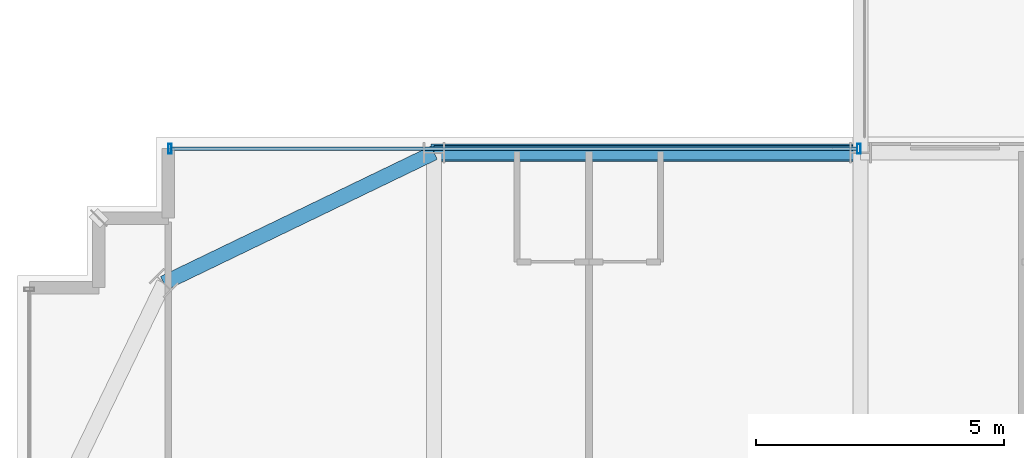
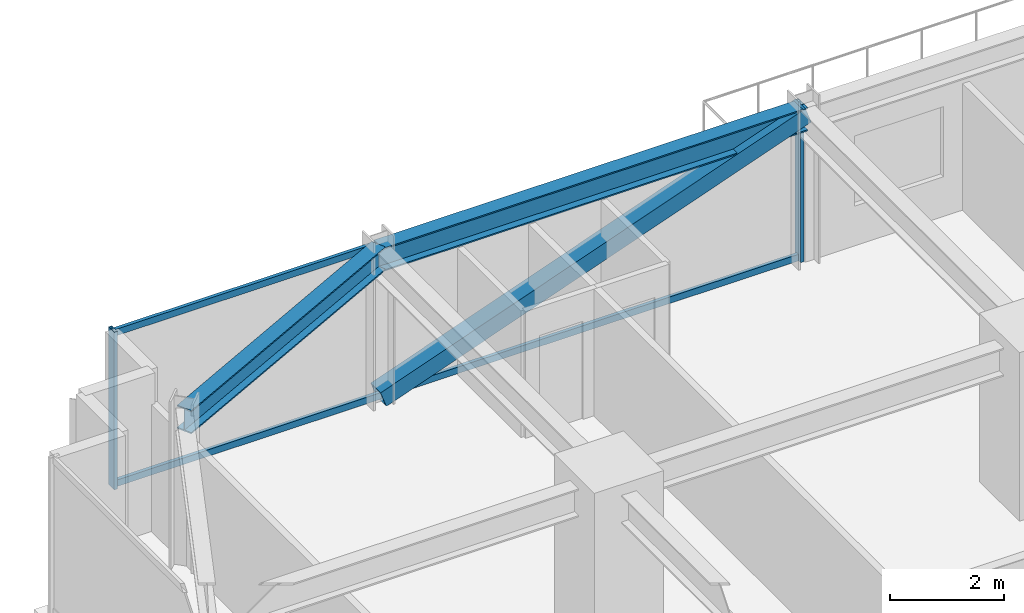
# One storey, part 24 of 43: 5 members, 2 beams, 1 element without a shape of its own.
"""IFC4 building model written with IfcOpenShell, lengths in metres."""

from ifc_helpers import new_model, si_unit, direction, frame, origin, origin_2d, place, context, subcontext, project, spatial, hollow_rectangle, i_section, extrude, source, transform, mapped, material, material_profile, profile_set, type_object, element, aggregate, save


model = new_model("IFC4")

# Units and contexts
model_context = context("Model", 3, precision=1e-05, world=origin(), true_north=direction((0.0, 1.0)))
body_context = subcontext(model_context, "Body", "Model", "MODEL_VIEW")
ifc_project = project(units=[si_unit("LENGTHUNIT", "METRE"), si_unit("AREAUNIT", "SQUARE_METRE"), si_unit("VOLUMEUNIT", "CUBIC_METRE"), si_unit("PLANEANGLEUNIT", "RADIAN"), si_unit("MASSUNIT", "GRAM", prefix="KILO")], contexts=[model_context])

# Site, building, storey
site_placement = place(None, origin())
site = spatial("IfcSite", under=ifc_project, at=site_placement, CompositionType="ELEMENT")
building_placement = place(site_placement, origin())
building = spatial("IfcBuilding", under=site, at=building_placement, Name="Nahalor Promenade Grand Hotel", CompositionType="ELEMENT")
storey_placement = place(building_placement, frame((0.0, 0.0, 47.0)))
storey = spatial("IfcBuildingStorey", under=building, at=storey_placement, Name="L10", CompositionType="ELEMENT", Elevation=47.0)

# Beams
ifc_material_1 = material(Name="Steel S355JR", Category="steel")
ifc_material_profile_1 = material_profile(ifc_material_1, i_section(OverallWidth=0.3, OverallDepth=0.5, WebThickness=0.0145, FlangeThickness=0.028, at=origin_2d()), Name="HEB 500")
ifc_profile_set_1 = profile_set([ifc_material_profile_1], Name="Steel S355JR")
beam_type = type_object("IfcBeamType", Name="Beam-Spandrel-HEB500", PredefinedType="SPANDREL", material=ifc_profile_set_1)
shared_shape_1 = source(origin(), body_context, "Body", "SweptSolid", [
    extrude(i_section(OverallWidth=0.3, OverallDepth=0.5, WebThickness=0.0145, FlangeThickness=0.028, at=origin_2d()), origin(), (0.0, 0.0, 1.0), 8.60009765625),
])
beam_1_placement = place(storey_placement, frame((-17.0, 25.080078125, 3.1201171875), z_axis=(1.0, 0.0, 0.0), x_axis=(0.0, 1.0, 0.0)))
element("IfcBeam", 1, at=beam_1_placement, inside=storey, type_object=beam_type, Name="BM-L10-SP-N-0", PredefinedType="SPANDREL", context=body_context, shape_type="MappedRepresentation", body=[
    mapped(shared_shape_1, transform((0.0, 0.0, 0.0), scale=1.0)),
])
shared_shape_2 = source(origin(), body_context, "Body", "SweptSolid", [
    extrude(i_section(OverallWidth=0.3, OverallDepth=0.5, WebThickness=0.0145, FlangeThickness=0.028, at=origin_2d()), origin(), (0.0, 0.0, 1.0), 6.051513671875),
])
beam_2_placement = place(storey_placement, frame((-17.0, 25.080078125, 3.1201171875), z_axis=(-0.900608818852, -0.434630596492, 0.0), x_axis=(0.434630596492, -0.900608818852, 0.0)))
element("IfcBeam", 2, at=beam_2_placement, inside=storey, type_object=beam_type, Name="BM-L10-SPC-NW-1", PredefinedType="SPANDREL", context=body_context, shape_type="MappedRepresentation", body=[
    mapped(shared_shape_2, transform((0.0, 0.0, 0.0), scale=1.0)),
])

# Member
ifc_material_profile_2 = material_profile(ifc_material_1, hollow_rectangle(XDim=0.35, YDim=0.35, WallThickness=0.02, at=origin_2d()), Name="SHS 350x350x20")
ifc_profile_set_2 = profile_set([ifc_material_profile_2], Name="Steel S355JR")
member_type_1 = type_object("IfcMemberType", Name="Mem-VoidBrace-SHS350", PredefinedType="BRACE", material=ifc_profile_set_2)
shared_shape_3 = source(origin(), body_context, "Body", "SweptSolid", [
    extrude(hollow_rectangle(XDim=0.35, YDim=0.35, WallThickness=0.02, at=origin_2d()), origin(), (0.0, 0.0, 1.0), 9.131591796875),
])
member_1_placement = place(storey_placement, frame((-17.0, 25.080078125, 0.14990234375), z_axis=(0.941790292179, 0.0, 0.336200900589), x_axis=(0.0, 1.0, 0.0)))
element("IfcMember", 3, at=member_1_placement, inside=storey, type_object=member_type_1, Name="EXO-L10-N-0", PredefinedType="BRACE", context=body_context, shape_type="MappedRepresentation", body=[
    mapped(shared_shape_3, transform((0.0, 0.0, 0.0), scale=1.0)),
])

# Curtain wall, members
ifc_material_2 = material(Name="Anodised Bronze Aluminium EN AW-6063 T6", Category="aluminium")
curtain_wall_type = type_object("IfcCurtainWallType", Name="CW3 Elliptical-Void Collar Unitised Curtain Wall", PredefinedType="USERDEFINED", material=ifc_material_2)
curtain_wall_placement = place(storey_placement, origin())
curtain_wall = element("IfcCurtainWall", 4, at=curtain_wall_placement, inside=storey, type_object=curtain_wall_type, Name="L10 Curtain Wall CW-L10-N-1", ObjectType="UNITISED_CURTAIN_WALL", PredefinedType="USERDEFINED")
ifc_material_profile_3 = material_profile(ifc_material_2, hollow_rectangle(XDim=0.07, YDim=0.2, WallThickness=0.005, at=origin_2d()), Name="CWM 70x200x5")
ifc_profile_set_3 = profile_set([ifc_material_profile_3], Name="Anodised Bronze Aluminium EN AW-6063 T6")
member_type_2 = type_object("IfcMemberType", Name="CWM3 Void Collar Mullion 70x200", PredefinedType="MULLION", material=ifc_profile_set_3)
shared_shape_4 = source(origin(), body_context, "Body", "SweptSolid", [
    extrude(hollow_rectangle(XDim=0.07, YDim=0.2, WallThickness=0.005, at=origin_2d()), origin(), (0.0, 0.0, 1.0), 3.3701171875),
])
member_2_placement = place(storey_placement, frame((-22.324951171875, 25.159912109375, 0.0), z_axis=(0.0, 0.0, 1.0), x_axis=(1.0, 0.0, 0.0)))
member_2 = element("IfcMember", 5, at=member_2_placement, type_object=member_type_2, Name="CW-L10-N-1 Mullion 0", PredefinedType="MULLION", context=body_context, shape_type="MappedRepresentation", body=[
    mapped(shared_shape_4, transform((0.0, 0.0, 0.0), scale=1.0)),
])
member_3_placement = place(storey_placement, frame((-8.43505859375, 25.159912109375, 0.0), z_axis=(0.0, 0.0, 1.0), x_axis=(1.0, 0.0, 0.0)))
member_3 = element("IfcMember", 6, at=member_3_placement, type_object=member_type_2, Name="CW-L10-N-1 Mullion 1", PredefinedType="MULLION", context=body_context, shape_type="MappedRepresentation", body=[
    mapped(shared_shape_4, transform((0.0, 0.0, 0.0), scale=1.0)),
])
ifc_material_profile_4 = material_profile(ifc_material_2, hollow_rectangle(XDim=0.07, YDim=0.14, WallThickness=0.004, at=origin_2d()), Name="CWT 70x140x4")
ifc_profile_set_4 = profile_set([ifc_material_profile_4], Name="Anodised Bronze Aluminium EN AW-6063 T6")
member_type_3 = type_object("IfcMemberType", Name="CWT3 Void Collar Transom 70x140", PredefinedType="USERDEFINED", material=ifc_profile_set_4)
shared_shape_5 = source(origin(), body_context, "Body", "SweptSolid", [
    extrude(hollow_rectangle(XDim=0.07, YDim=0.14, WallThickness=0.004, at=origin_2d()), origin(), (0.0, 0.0, 1.0), 13.820068359375),
])
member_4_placement = place(storey_placement, frame((-22.2900390625, 25.159912109375, 0.070068359375), z_axis=(1.0, 0.0, 0.0), x_axis=(0.0, 1.0, 0.0)))
member_4 = element("IfcMember", 7, at=member_4_placement, type_object=member_type_3, Name="CW-L10-N-1 Transom 0-0", ObjectType="TRANSOM", PredefinedType="USERDEFINED", context=body_context, shape_type="MappedRepresentation", body=[
    mapped(shared_shape_5, transform((0.0, 0.0, 0.0), scale=1.0)),
])
member_5_placement = place(storey_placement, frame((-22.2900390625, 25.159912109375, 3.300048828125), z_axis=(1.0, 0.0, 0.0), x_axis=(0.0, 1.0, 0.0)))
member_5 = element("IfcMember", 8, at=member_5_placement, type_object=member_type_3, Name="CW-L10-N-1 Transom 0-1", ObjectType="TRANSOM", PredefinedType="USERDEFINED", context=body_context, shape_type="MappedRepresentation", body=[
    mapped(shared_shape_5, transform((0.0, 0.0, 0.0), scale=1.0)),
])
aggregate(curtain_wall, [member_2, member_3, member_4, member_5])

save(model, "model.ifc")
